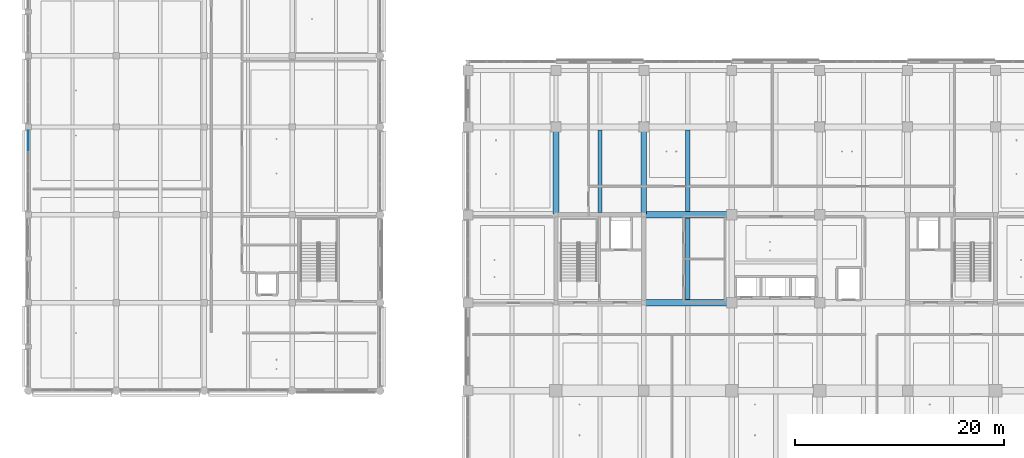
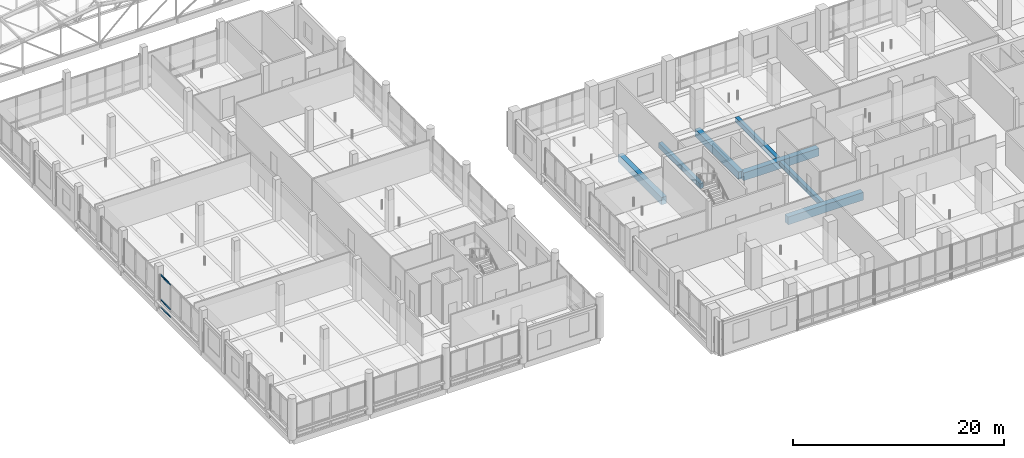
# One storey, part 9 of 122: 7 beams, 3 members, 1 element without a shape of its own.
"""IFC4 building model written with IfcOpenShell, lengths in metres."""

from ifc_helpers import new_model, si_unit, direction, frame, origin, origin_2d, place, context, subcontext, project, spatial, rectangle, extrude, material, layer, layer_set, material_profile, profile_set, type_object, element, aggregate, save


model = new_model("IFC4")

# Units and contexts
model_context = context("Model", 3, precision=1e-05, world=origin(), true_north=direction((0.0, 1.0)))
body_context = subcontext(model_context, "Body", "Model", "MODEL_VIEW")
ifc_project = project(units=[si_unit("LENGTHUNIT", "METRE"), si_unit("AREAUNIT", "SQUARE_METRE"), si_unit("VOLUMEUNIT", "CUBIC_METRE"), si_unit("PLANEANGLEUNIT", "RADIAN"), si_unit("MASSUNIT", "GRAM", prefix="KILO")], contexts=[model_context])

# Site, building, storey
site_placement = place(None, origin())
site = spatial("IfcSite", under=ifc_project, at=site_placement, CompositionType="ELEMENT")
building_placement = place(site_placement, origin())
building = spatial("IfcBuilding", under=site, at=building_placement, Name="Telukmera Botanical Conservatory", CompositionType="ELEMENT")
storey_placement = place(building_placement, frame((0.0, 0.0, 10.199951171875)))
storey = spatial("IfcBuildingStorey", under=building, at=storey_placement, Name="L02", CompositionType="ELEMENT", Elevation=10.199951171875)

# Beams
ifc_material_1 = material(Name="Concrete C40/50", Category="concrete")
ifc_material_profile_1 = material_profile(ifc_material_1, rectangle(XDim=0.39990234375, YDim=0.550048828125, at=origin_2d()), Name="RC 400x550")
ifc_profile_set_1 = profile_set([ifc_material_profile_1], Name="Concrete C40/50")
beam_type_1 = type_object("IfcBeamType", Name="Beam_B19", PredefinedType="JOIST", material=ifc_profile_set_1)
beam_placement = place(storey_placement, frame((63.0, 34.60009765625, -0.27490234375), z_axis=(0.0, 1.0, 0.0), x_axis=(-1.0, 0.0, 0.0)))
element("IfcBeam", 1, at=beam_placement, inside=storey, type_object=beam_type_1, Name="Tower Secondary Floor Joist L02", PredefinedType="JOIST", context=body_context, shape_type="SweptSolid", body=[
    extrude(rectangle(XDim=0.39990234375, YDim=0.550048828125, at=origin_2d()), origin(), (0.0, 0.0, 1.0), 7.89990234375),
])
for number, where, z_axis, x_axis, name in (
    (2, (71.39990234375, 26.300048828125, -0.27490234375), (0.0, 1.0, 0.0), (-1.0, 0.0, 0.0), "Tower Secondary Floor Joist L02"),
    (3, (71.39990234375, 34.699951171875, -0.27490234375), (0.0, 1.0, 0.0), (-1.0, 0.0, 0.0), "Tower Secondary Floor Joist L02"),
):
    element("IfcBeam", number, at=place(storey_placement, frame(where, z_axis=z_axis, x_axis=x_axis)), inside=storey, type_object=beam_type_1, Name=name, PredefinedType="JOIST", context=body_context, shape_type="SweptSolid", body=[
        extrude(rectangle(XDim=0.39990234375, YDim=0.550048828125, at=origin_2d()), origin(), (0.0, 0.0, 1.0), 7.800048828125),
    ])
ifc_material_profile_2 = material_profile(ifc_material_1, rectangle(XDim=0.60009765625, YDim=0.89990234375, at=origin_2d()), Name="RC 600x900")
ifc_profile_set_2 = profile_set([ifc_material_profile_2], Name="Concrete C40/50")
beam_type_2 = type_object("IfcBeamType", Name="Beam_B3", PredefinedType="BEAM", material=ifc_profile_set_2)
for number, where, z_axis, x_axis, name in (
    (4, (67.280029296875, 26.0, -0.449951171875), (1.0, 0.0, 0.0), (0.0, 1.0, 0.0), "Tower Grid Beam L02"),
    (5, (67.280029296875, 34.39990234375, -0.449951171875), (1.0, 0.0, 0.0), (0.0, 1.0, 0.0), "Tower Grid Beam L02"),
):
    element("IfcBeam", number, at=place(storey_placement, frame(where, z_axis=z_axis, x_axis=x_axis)), inside=storey, type_object=beam_type_2, Name=name, PredefinedType="BEAM", context=body_context, shape_type="SweptSolid", body=[
        extrude(rectangle(XDim=0.60009765625, YDim=0.89990234375, at=origin_2d()), origin(), (0.0, 0.0, 1.0), 8.239990234375),
    ])
ifc_material_profile_3 = material_profile(ifc_material_1, rectangle(XDim=0.550048828125, YDim=0.85009765625, at=origin_2d()), Name="RC 550x850")
ifc_profile_set_3 = profile_set([ifc_material_profile_3], Name="Concrete C40/50")
beam_type_3 = type_object("IfcBeamType", Name="Beam_B4", PredefinedType="BEAM", material=ifc_profile_set_3)
for number, where, z_axis, x_axis, name in (
    (6, (58.800048828125, 34.47998046875, -0.425048828125), (0.0, 1.0, 0.0), (-1.0, 0.0, 0.0), "Tower Transverse Beam L02"),
    (7, (67.199951171875, 34.47998046875, -0.425048828125), (0.0, 1.0, 0.0), (-1.0, 0.0, 0.0), "Tower Transverse Beam L02"),
):
    element("IfcBeam", number, at=place(storey_placement, frame(where, z_axis=z_axis, x_axis=x_axis)), inside=storey, type_object=beam_type_3, Name=name, PredefinedType="BEAM", context=body_context, shape_type="SweptSolid", body=[
        extrude(rectangle(XDim=0.550048828125, YDim=0.85009765625, at=origin_2d()), origin(), (0.0, 0.0, 1.0), 8.239990234375),
    ])

# Curtain wall, members
ifc_material_2 = material(Name="Anodised aluminium 6063-T6", Category="aluminium")
ifc_layer = layer(ifc_material_2, 0.179931640625)
ifc_layer_set = layer_set([ifc_layer], Name="Anodised aluminium 6063-T6")
curtain_wall_type = type_object("IfcCurtainWallType", Name="Visitor Gallery First Floor Curtain Wall 1800 Mod", PredefinedType="USERDEFINED", material=ifc_layer_set)
curtain_wall_placement = place(storey_placement, origin())
curtain_wall = element("IfcCurtainWall", 8, at=curtain_wall_placement, inside=storey, type_object=curtain_wall_type, Name="Unitised Curtain Wall CW08 V3:L02:W3", ObjectType="UNITISED CURTAIN WALL", PredefinedType="USERDEFINED")
ifc_material_profile_4 = material_profile(ifc_material_2, rectangle(XDim=0.06494140625, YDim=0.1298828125, at=origin_2d()), Name="ALU TRAN 65x130")
ifc_profile_set_4 = profile_set([ifc_material_profile_4], Name="Anodised aluminium 6063-T6")
member_type = type_object("IfcMemberType", Name="Curtain Wall Extruded Transom 65x130", PredefinedType="USERDEFINED", material=ifc_profile_set_4)
member_1_placement = place(storey_placement, frame((8.39990234375, 40.58154296875, 0.06494140625), z_axis=(0.0, 1.0, 0.0), x_axis=(-1.0, 0.0, 0.0)))
member_1 = element("IfcMember", 9, at=member_1_placement, type_object=member_type, Name="CW08 transom 4.1", ObjectType="TRANSOM", PredefinedType="USERDEFINED", context=body_context, shape_type="SweptSolid", body=[
    extrude(rectangle(XDim=0.06494140625, YDim=0.1298828125, at=origin_2d()), origin(), (0.0, 0.0, 1.0), 1.8515625),
])
member_2_placement = place(storey_placement, frame((8.39990234375, 40.58154296875, 0.949951171875), z_axis=(0.0, 1.0, 0.0), x_axis=(-1.0, 0.0, 0.0)))
member_2 = element("IfcMember", 10, at=member_2_placement, type_object=member_type, Name="CW08 transom 4.2", ObjectType="TRANSOM", PredefinedType="USERDEFINED", context=body_context, shape_type="SweptSolid", body=[
    extrude(rectangle(XDim=0.06494140625, YDim=0.1298828125, at=origin_2d()), origin(), (0.0, 0.0, 1.0), 1.8515625),
])
member_3_placement = place(storey_placement, frame((8.39990234375, 40.58154296875, 3.78515625), z_axis=(0.0, 1.0, 0.0), x_axis=(-1.0, 0.0, 0.0)))
member_3 = element("IfcMember", 11, at=member_3_placement, type_object=member_type, Name="CW08 transom 4.3", ObjectType="TRANSOM", PredefinedType="USERDEFINED", context=body_context, shape_type="SweptSolid", body=[
    extrude(rectangle(XDim=0.06494140625, YDim=0.1298828125, at=origin_2d()), origin(), (0.0, 0.0, 1.0), 1.8515625),
])
aggregate(curtain_wall, [member_1, member_2, member_3])

save(model, "model.ifc")
